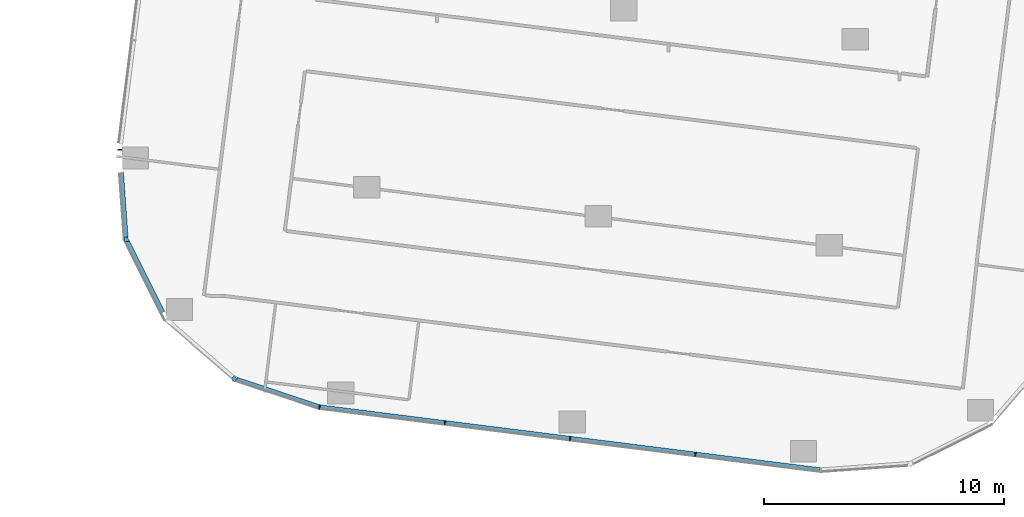
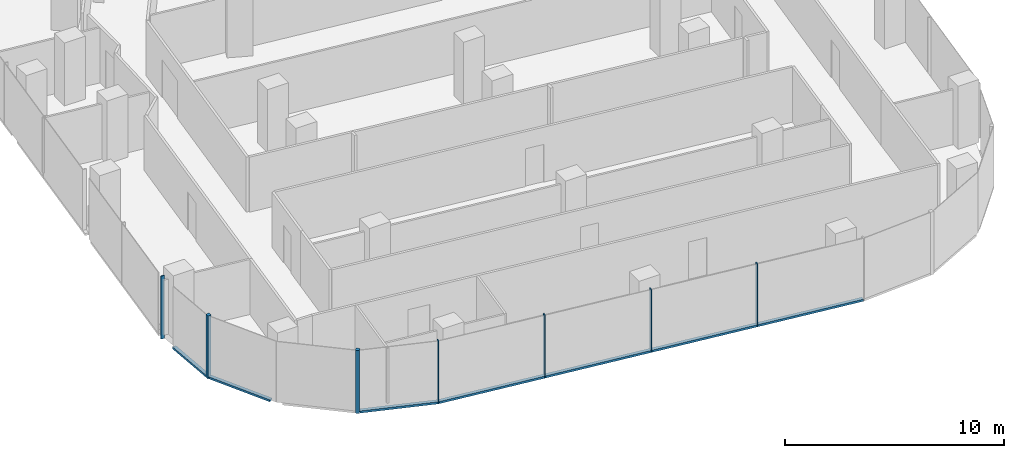
# One storey, part 2 of 27: 11 members, 6 elements without a shape of their own.
"""IFC4 building model written with IfcOpenShell, lengths in metres."""

from ifc_helpers import new_model, si_unit, direction, frame, origin, origin_2d, place, context, subcontext, project, spatial, rectangle, extrude, material, material_profile, profile_set, type_object, element, aggregate, save


model = new_model("IFC4")

# Units and contexts
model_context = context("Model", 3, precision=1e-05, world=origin(), true_north=direction((0.0, 1.0)))
body_context = subcontext(model_context, "Body", "Model", "MODEL_VIEW")
ifc_project = project(units=[si_unit("LENGTHUNIT", "METRE"), si_unit("AREAUNIT", "SQUARE_METRE"), si_unit("VOLUMEUNIT", "CUBIC_METRE"), si_unit("PLANEANGLEUNIT", "RADIAN"), si_unit("MASSUNIT", "GRAM", prefix="KILO")], contexts=[model_context])

# Site, building, storey
site_placement = place(None, origin())
site = spatial("IfcSite", under=ifc_project, at=site_placement, CompositionType="ELEMENT")
building_placement = place(site_placement, origin())
building = spatial("IfcBuilding", under=site, at=building_placement, Name="Orlundy Tower", CompositionType="ELEMENT")
storey_placement = place(building_placement, frame((0.0, 0.0, 195.60009765625)))
storey = spatial("IfcBuildingStorey", under=building, at=storey_placement, Name="L51", CompositionType="ELEMENT", Elevation=195.60009765625)

# Curtain wall, member
ifc_material_1 = material(Name="Aluminium bronze anodised", Category="aluminium")
curtain_wall_type = type_object("IfcCurtainWallType", Name="CW1 wall", PredefinedType="NOTDEFINED", material=ifc_material_1)
curtain_wall_1_placement = place(storey_placement, origin())
curtain_wall_1 = element("IfcCurtainWall", 1, at=curtain_wall_1_placement, inside=storey, type_object=curtain_wall_type, Name="CW1 run 025", PredefinedType="NOTDEFINED")
ifc_material_2 = material(Name="Aluminium bronze anodised", Category="aluminium")
ifc_material_profile_1 = material_profile(ifc_material_2, rectangle(XDim=0.179931640625, YDim=0.179931640625, at=origin_2d()), Name="CW1 corner post 180x180")
ifc_profile_set_1 = profile_set([ifc_material_profile_1], Name="Aluminium bronze anodised")
member_type_1 = type_object("IfcMemberType", Name="CW1 corner post 180x180", PredefinedType="MULLION", material=ifc_profile_set_1)
member_1_placement = place(storey_placement, frame((-21.4033203125, -56.6337890625, -0.420166015625), z_axis=(0.0, 0.0, 1.0), x_axis=(-0.655002428568, -0.755626772005, 0.0)))
member_1 = element("IfcMember", 2, at=member_1_placement, type_object=member_type_1, Name="CW1 mullion 58", PredefinedType="MULLION", context=body_context, shape_type="SweptSolid", body=[
    extrude(rectangle(XDim=0.179931640625, YDim=0.179931640625, at=origin_2d()), origin(), (0.0, 0.0, 1.0), 3.5),
])
aggregate(curtain_wall_1, [member_1])

curtain_wall_2_placement = place(storey_placement, origin())
curtain_wall_2 = element("IfcCurtainWall", 3, at=curtain_wall_2_placement, inside=storey, type_object=curtain_wall_type, Name="CW1 run 027", PredefinedType="NOTDEFINED")
member_2_placement = place(storey_placement, frame((-25.906494140625, -50.836181640625, -0.420166015625), z_axis=(0.0, 0.0, 1.0), x_axis=(-0.997461437469, -0.071208712685, 0.0)))
member_2 = element("IfcMember", 4, at=member_2_placement, type_object=member_type_1, Name="CW1 mullion 60", PredefinedType="MULLION", context=body_context, shape_type="SweptSolid", body=[
    extrude(rectangle(XDim=0.179931640625, YDim=0.179931640625, at=origin_2d()), origin(), (0.0, 0.0, 1.0), 3.5),
])

curtain_wall_3_placement = place(storey_placement, origin())
curtain_wall_3 = element("IfcCurtainWall", 5, at=curtain_wall_3_placement, inside=storey, type_object=curtain_wall_type, Name="CW1 run 00", PredefinedType="NOTDEFINED")
ifc_material_3 = material(Name="Aluminium bronze anodised", Category="aluminium")
ifc_material_profile_2 = material_profile(ifc_material_3, rectangle(XDim=0.179931640625, YDim=0.050048828125, at=origin_2d()), Name="CW1 mullion 50x180")
ifc_profile_set_2 = profile_set([ifc_material_profile_2], Name="Aluminium bronze anodised")
member_type_2 = type_object("IfcMemberType", Name="CW1 mullion 50x180", PredefinedType="MULLION", material=ifc_profile_set_2)
member_3_placement = place(storey_placement, frame((-26.17236328125, -47.111572265625, -0.420166015625), z_axis=(0.0, 0.0, 1.0), x_axis=(-0.999637943834, 0.026906899623, 0.0)))
member_3 = element("IfcMember", 6, at=member_3_placement, type_object=member_type_2, Name="CW1 mullion 1", PredefinedType="MULLION", context=body_context, shape_type="SweptSolid", body=[
    extrude(rectangle(XDim=0.179931640625, YDim=0.050048828125, at=origin_2d()), origin(), (0.0, 0.0, 1.0), 3.5),
])
aggregate(curtain_wall_3, [member_3])

# Curtain wall, members
curtain_wall_4_placement = place(storey_placement, origin())
curtain_wall_4 = element("IfcCurtainWall", 7, at=curtain_wall_4_placement, inside=storey, type_object=curtain_wall_type, Name="CW1 run 023", PredefinedType="NOTDEFINED")
member_4_placement = place(storey_placement, frame((-2.225341796875, -59.779296875, -0.420166015625), z_axis=(0.0, 0.0, 1.0), x_axis=(-0.12476143853, -0.992186768434, 0.0)))
member_4 = element("IfcMember", 8, at=member_4_placement, type_object=member_type_2, Name="CW1 mullion 54", PredefinedType="MULLION", context=body_context, shape_type="SweptSolid", body=[
    extrude(rectangle(XDim=0.179931640625, YDim=0.050048828125, at=origin_2d()), origin(), (0.0, 0.0, 1.0), 3.5),
])
member_5_placement = place(storey_placement, frame((-7.434326171875, -59.124267578125, -0.420166015625), z_axis=(0.0, 0.0, 1.0), x_axis=(-0.12476143853, -0.992186768434, 0.0)))
member_5 = element("IfcMember", 9, at=member_5_placement, type_object=member_type_2, Name="CW1 mullion 55", PredefinedType="MULLION", context=body_context, shape_type="SweptSolid", body=[
    extrude(rectangle(XDim=0.179931640625, YDim=0.050048828125, at=origin_2d()), origin(), (0.0, 0.0, 1.0), 3.5),
])
member_6_placement = place(storey_placement, frame((-12.643310546875, -58.46923828125, -0.420166015625), z_axis=(0.0, 0.0, 1.0), x_axis=(-0.12476143853, -0.992186768434, 0.0)))
member_6 = element("IfcMember", 10, at=member_6_placement, type_object=member_type_2, Name="CW1 mullion 56", PredefinedType="MULLION", context=body_context, shape_type="SweptSolid", body=[
    extrude(rectangle(XDim=0.179931640625, YDim=0.050048828125, at=origin_2d()), origin(), (0.0, 0.0, 1.0), 3.5),
])

# Curtain wall, member
curtain_wall_5_placement = place(storey_placement, origin())
curtain_wall_5 = element("IfcCurtainWall", 11, at=curtain_wall_5_placement, inside=storey, type_object=curtain_wall_type, Name="CW1 run 024", PredefinedType="NOTDEFINED")
member_7_placement = place(storey_placement, frame((-17.861083984375, -57.813232421875, -0.420166015625), z_axis=(0.0, 0.0, 1.0), x_axis=(-0.221398524176, -0.975183415309, 0.0)))
member_7 = element("IfcMember", 12, at=member_7_placement, type_object=member_type_2, Name="CW1 mullion 57", PredefinedType="MULLION", context=body_context, shape_type="SweptSolid", body=[
    extrude(rectangle(XDim=0.179931640625, YDim=0.050048828125, at=origin_2d()), origin(), (0.0, 0.0, 1.0), 3.5),
])

# Member
ifc_material_4 = material(Name="Aluminium bronze anodised", Category="aluminium")
ifc_material_profile_3 = material_profile(ifc_material_4, rectangle(XDim=0.179931640625, YDim=0.1201171875, at=origin_2d()), Name="CW1 transom 180x120")
ifc_profile_set_3 = profile_set([ifc_material_profile_3], Name="Aluminium bronze anodised")
member_type_3 = type_object("IfcMemberType", Name="CW1 transom 180x120", PredefinedType="USERDEFINED", material=ifc_profile_set_3)
member_8_placement = place(storey_placement, frame((2.967529296875, -60.432373046875, -0.360107421875), z_axis=(-0.992186609329, 0.124762703832, 0.0), x_axis=(-0.124762703832, -0.992186609329, 0.0)))
member_8 = element("IfcMember", 13, at=member_8_placement, type_object=member_type_3, Name="CW1 transom", ObjectType="TRANSOM", PredefinedType="USERDEFINED", context=body_context, shape_type="SweptSolid", body=[
    extrude(rectangle(XDim=0.179931640625, YDim=0.1201171875, at=origin_2d()), origin(), (0.0, 0.0, 1.0), 20.967529296875),
])

aggregate(curtain_wall_4, [member_4, member_5, member_6, member_8])

member_9_placement = place(storey_placement, frame((-17.884765625, -57.80517578125, -0.360107421875), z_axis=(-0.948804921466, 0.315862661614, 0.0), x_axis=(-0.315862661614, -0.948804921466, 0.0)))
member_9 = element("IfcMember", 14, at=member_9_placement, type_object=member_type_3, Name="CW1 transom", ObjectType="TRANSOM", PredefinedType="USERDEFINED", context=body_context, shape_type="SweptSolid", body=[
    extrude(rectangle(XDim=0.179931640625, YDim=0.1201171875, at=origin_2d()), origin(), (0.0, 0.0, 1.0), 3.611083984375),
])

aggregate(curtain_wall_5, [member_7, member_9])

# Curtain wall, member
curtain_wall_6_placement = place(storey_placement, origin())
curtain_wall_6 = element("IfcCurtainWall", 15, at=curtain_wall_6_placement, inside=storey, type_object=curtain_wall_type, Name="CW1 run 026", PredefinedType="NOTDEFINED")
member_10_placement = place(storey_placement, frame((-24.385009765625, -53.87548828125, -0.360107421875), z_axis=(-0.447627675266, 0.894220031276, 0.0), x_axis=(-0.894220031276, -0.447627675266, 0.0)))
member_10 = element("IfcMember", 16, at=member_10_placement, type_object=member_type_3, Name="CW1 transom", ObjectType="TRANSOM", PredefinedType="USERDEFINED", context=body_context, shape_type="SweptSolid", body=[
    extrude(rectangle(XDim=0.179931640625, YDim=0.1201171875, at=origin_2d()), origin(), (0.0, 0.0, 1.0), 3.30126953125),
])
aggregate(curtain_wall_6, [member_10])

# Member
member_11_placement = place(storey_placement, frame((-25.912841796875, -50.74658203125, -0.360107421875), z_axis=(-0.071266331494, 0.997457322393, 0.0), x_axis=(-0.997457322393, -0.071266331494, 0.0)))
member_11 = element("IfcMember", 17, at=member_11_placement, type_object=member_type_3, Name="CW1 transom", ObjectType="TRANSOM", PredefinedType="USERDEFINED", context=body_context, shape_type="SweptSolid", body=[
    extrude(rectangle(XDim=0.179931640625, YDim=0.1201171875, at=origin_2d()), origin(), (0.0, 0.0, 1.0), 2.699462890625),
])

aggregate(curtain_wall_2, [member_2, member_11])

save(model, "model.ifc")
